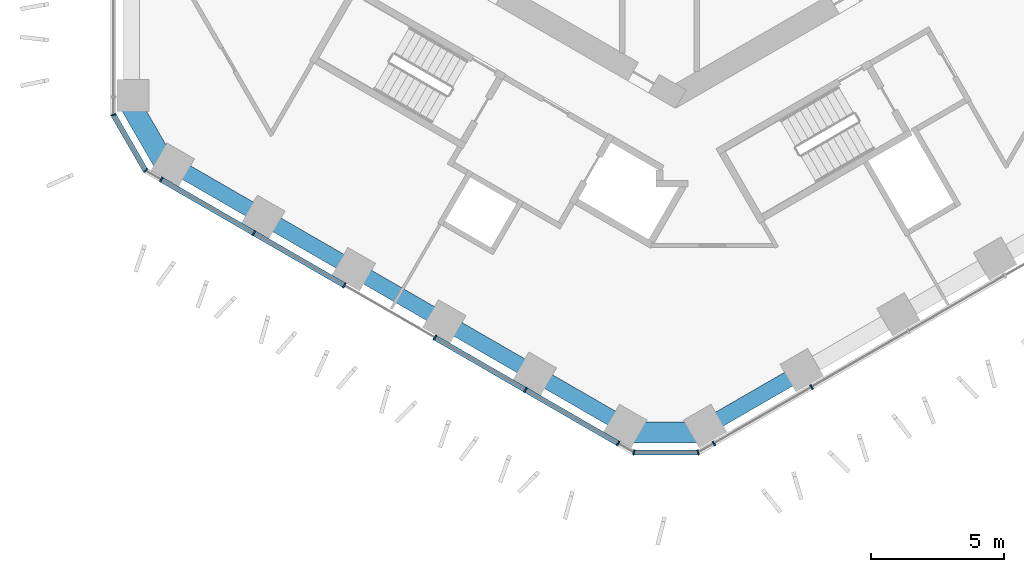
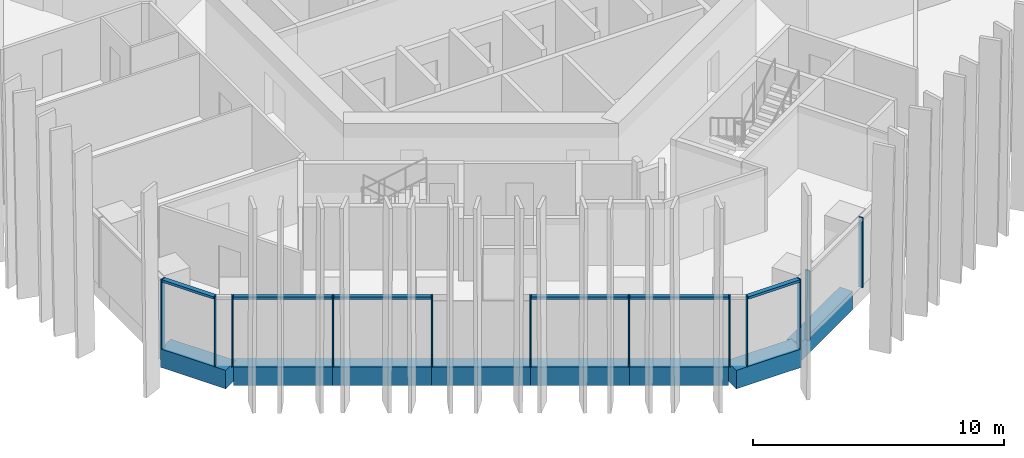
# One storey, part 2 of 19: 16 members, 8 beams, 4 elements without a shape of their own.
"""IFC4 building model written with IfcOpenShell, lengths in metres."""

from ifc_helpers import new_model, si_unit, direction, frame, origin, origin_2d, place, context, subcontext, project, spatial, rectangle, extrude, material, layer, layer_set, material_profile, profile_set, type_object, element, aggregate, save


model = new_model("IFC4")

# Units and contexts
model_context = context("Model", 3, precision=1e-05, world=origin(), true_north=direction((0.0, 1.0)))
body_context = subcontext(model_context, "Body", "Model", "MODEL_VIEW")
ifc_project = project(units=[si_unit("LENGTHUNIT", "METRE"), si_unit("AREAUNIT", "SQUARE_METRE"), si_unit("VOLUMEUNIT", "CUBIC_METRE"), si_unit("PLANEANGLEUNIT", "RADIAN"), si_unit("MASSUNIT", "GRAM", prefix="KILO")], contexts=[model_context])

# Site, building, storey
site_placement = place(None, origin())
site = spatial("IfcSite", under=ifc_project, at=site_placement, CompositionType="ELEMENT")
building_placement = place(site_placement, origin())
building = spatial("IfcBuilding", under=site, at=building_placement, Name="Ayvan Gate Tower", CompositionType="ELEMENT")
storey_placement = place(building_placement, frame((0.0, 0.0, 45.89990234375)))
storey = spatial("IfcBuildingStorey", under=building, at=storey_placement, Name="L11", CompositionType="ELEMENT", Elevation=45.89990234375)

# Beams
ifc_material_1 = material(Name="Concrete C40/50", Category="concrete")
ifc_material_profile_1 = material_profile(ifc_material_1, rectangle(XDim=0.800048828125, YDim=0.89990234375, at=origin_2d()), Name="RC 800x900")
ifc_profile_set_1 = profile_set([ifc_material_profile_1], Name="Concrete C40/50")
beam_type_1 = type_object("IfcBeamType", Name="Corner spandrel beam RC 800x900 C40/50", PredefinedType="BEAM", material=ifc_profile_set_1)
for number, where, z_axis, x_axis, name in (
    (1, (-20.633056640625, -10.575439453125, -0.7998046875), (0.499990139034, -0.866031096941, 0.0), (0.866031096941, 0.499990139034, 0.0), "SB-L11-24"),
    (2, (-1.842041015625, -23.156494140625, -0.7998046875), (1.0, 0.0, 0.0), (0.0, 1.0, 0.0), "SB-L11-30"),
):
    element("IfcBeam", number, at=place(storey_placement, frame(where, z_axis=z_axis, x_axis=x_axis)), inside=storey, type_object=beam_type_1, Name=name, PredefinedType="BEAM", context=body_context, shape_type="SweptSolid", body=[
        extrude(rectangle(XDim=0.800048828125, YDim=0.89990234375, at=origin_2d()), origin(), (0.0, 0.0, 1.0), 3.0),
    ])
ifc_material_profile_2 = material_profile(ifc_material_1, rectangle(XDim=0.60009765625, YDim=0.89990234375, at=origin_2d()), Name="RC 600x900")
ifc_profile_set_2 = profile_set([ifc_material_profile_2], Name="Concrete C40/50")
beam_type_2 = type_object("IfcBeamType", Name="Spandrel beam RC 600x900 C40/50", PredefinedType="BEAM", material=ifc_profile_set_2)
beam_1_placement = place(storey_placement, frame((-18.9423828125, -13.0634765625, -0.7998046875), z_axis=(0.866012622712, -0.500022136814, 0.0), x_axis=(0.500022136814, 0.866012622712, 0.0)))
element("IfcBeam", 3, at=beam_1_placement, inside=storey, type_object=beam_type_2, Name="SB-L11-25", PredefinedType="BEAM", context=body_context, shape_type="SweptSolid", body=[
    extrude(rectangle(XDim=0.60009765625, YDim=0.89990234375, at=origin_2d()), origin(), (0.0, 0.0, 1.0), 3.948974609375),
])
beam_2_placement = place(storey_placement, frame((-15.5224609375, -15.0380859375, -0.7998046875), z_axis=(0.866028078518, -0.499995367196, 0.0), x_axis=(0.499995367196, 0.866028078518, 0.0)))
element("IfcBeam", 4, at=beam_2_placement, inside=storey, type_object=beam_type_2, Name="SB-L11-26", PredefinedType="BEAM", context=body_context, shape_type="SweptSolid", body=[
    extrude(rectangle(XDim=0.60009765625, YDim=0.89990234375, at=origin_2d()), origin(), (0.0, 0.0, 1.0), 3.94921875),
])
beam_3_placement = place(storey_placement, frame((-12.102294921875, -17.0126953125, -0.7998046875), z_axis=(0.866012622712, -0.500022136814, 0.0), x_axis=(0.500022136814, 0.866012622712, 0.0)))
element("IfcBeam", 5, at=beam_3_placement, inside=storey, type_object=beam_type_2, Name="SB-L11-27", PredefinedType="BEAM", context=body_context, shape_type="SweptSolid", body=[
    extrude(rectangle(XDim=0.60009765625, YDim=0.89990234375, at=origin_2d()), origin(), (0.0, 0.0, 1.0), 3.948974609375),
])
for number, where, z_axis, x_axis, name in (
    (6, (-8.682373046875, -18.9873046875, -0.7998046875), (0.866028078518, -0.499995367196, 0.0), (0.499995367196, 0.866028078518, 0.0), "SB-L11-28"),
    (7, (-5.26220703125, -20.9619140625, -0.7998046875), (0.866028078518, -0.499995367196, 0.0), (0.499995367196, 0.866028078518, 0.0), "SB-L11-29"),
):
    element("IfcBeam", number, at=place(storey_placement, frame(where, z_axis=z_axis, x_axis=x_axis)), inside=storey, type_object=beam_type_2, Name=name, PredefinedType="BEAM", context=body_context, shape_type="SweptSolid", body=[
        extrude(rectangle(XDim=0.60009765625, YDim=0.89990234375, at=origin_2d()), origin(), (0.0, 0.0, 1.0), 3.94921875),
    ])
beam_4_placement = place(storey_placement, frame((1.157958984375, -22.9365234375, -0.7998046875), z_axis=(0.866002021773, 0.500040496645, 0.0), x_axis=(-0.500040496645, 0.866002021773, 0.0)))
element("IfcBeam", 8, at=beam_4_placement, inside=storey, type_object=beam_type_2, Name="SB-L11-31", PredefinedType="BEAM", context=body_context, shape_type="SweptSolid", body=[
    extrude(rectangle(XDim=0.60009765625, YDim=0.89990234375, at=origin_2d()), origin(), (0.0, 0.0, 1.0), 4.186279296875),
])

# Curtain wall, members
ifc_material_2 = material(Name="Bronze anodised aluminium", Category="aluminium")
ifc_layer_1 = layer(ifc_material_2, 0.199951171875)
ifc_layer_set_1 = layer_set([ifc_layer_1], Name="Bronze anodised aluminium")
curtain_wall_type_1 = type_object("IfcCurtainWallType", Name="Stick curtain wall CW-1", PredefinedType="NOTDEFINED", material=ifc_layer_set_1)
curtain_wall_1_placement = place(storey_placement, origin())
curtain_wall_1 = element("IfcCurtainWall", 9, at=curtain_wall_1_placement, inside=storey, type_object=curtain_wall_type_1, Name="Stick curtain wall CW-1 L11", PredefinedType="NOTDEFINED")
ifc_material_profile_3 = material_profile(ifc_material_2, rectangle(XDim=0.199951171875, YDim=0.06005859375, at=origin_2d()), Name="Stick curtain wall CW-1 mullion 200 x 60")
ifc_profile_set_3 = profile_set([ifc_material_profile_3], Name="Bronze anodised aluminium")
member_type_1 = type_object("IfcMemberType", Name="Stick curtain wall CW-1 mullion 200 x 60", PredefinedType="MULLION", material=ifc_profile_set_3)
member_1_placement = place(storey_placement, frame((-19.332275390625, -13.646728515625, 0.0), z_axis=(0.0, 0.0, 1.0), x_axis=(-0.5, -0.866025403784, 0.0)))
member_1 = element("IfcMember", 10, at=member_1_placement, type_object=member_type_1, Name="CW-1 mullion 1", PredefinedType="MULLION", context=body_context, shape_type="SweptSolid", body=[
    extrude(rectangle(XDim=0.199951171875, YDim=0.06005859375, at=origin_2d()), origin(), (0.0, 0.0, 1.0), 3.400146484375),
])
member_2_placement = place(storey_placement, frame((-15.8466796875, -15.6591796875, 0.0), z_axis=(0.0, 0.0, 1.0), x_axis=(-0.5, -0.866025403784, 0.0)))
member_2 = element("IfcMember", 11, at=member_2_placement, type_object=member_type_1, Name="CW-1 mullion 2", PredefinedType="MULLION", context=body_context, shape_type="SweptSolid", body=[
    extrude(rectangle(XDim=0.199951171875, YDim=0.06005859375, at=origin_2d()), origin(), (0.0, 0.0, 1.0), 3.400146484375),
])
member_3_placement = place(storey_placement, frame((-12.444091796875, -17.623779296875, 0.0), z_axis=(0.0, 0.0, 1.0), x_axis=(-0.5, -0.866025403784, 0.0)))
member_3 = element("IfcMember", 12, at=member_3_placement, type_object=member_type_1, Name="CW-1 mullion 3", PredefinedType="MULLION", context=body_context, shape_type="SweptSolid", body=[
    extrude(rectangle(XDim=0.199951171875, YDim=0.06005859375, at=origin_2d()), origin(), (0.0, 0.0, 1.0), 3.400146484375),
])
member_4_placement = place(storey_placement, frame((-9.041259765625, -19.588134765625, 0.0), z_axis=(0.0, 0.0, 1.0), x_axis=(-0.5, -0.866025403784, 0.0)))
member_4 = element("IfcMember", 13, at=member_4_placement, type_object=member_type_1, Name="CW-1 mullion 4", PredefinedType="MULLION", context=body_context, shape_type="SweptSolid", body=[
    extrude(rectangle(XDim=0.199951171875, YDim=0.06005859375, at=origin_2d()), origin(), (0.0, 0.0, 1.0), 3.400146484375),
])
member_5_placement = place(storey_placement, frame((-5.638671875, -21.552734375, 0.0), z_axis=(0.0, 0.0, 1.0), x_axis=(-0.5, -0.866025403784, 0.0)))
member_5 = element("IfcMember", 14, at=member_5_placement, type_object=member_type_1, Name="CW-1 mullion 5", PredefinedType="MULLION", context=body_context, shape_type="SweptSolid", body=[
    extrude(rectangle(XDim=0.199951171875, YDim=0.06005859375, at=origin_2d()), origin(), (0.0, 0.0, 1.0), 3.400146484375),
])
member_6_placement = place(storey_placement, frame((-2.15234375, -23.565673828125, 0.0), z_axis=(0.0, 0.0, 1.0), x_axis=(-0.5, -0.866025403784, 0.0)))
member_6 = element("IfcMember", 15, at=member_6_placement, type_object=member_type_1, Name="CW-1 mullion 6", PredefinedType="MULLION", context=body_context, shape_type="SweptSolid", body=[
    extrude(rectangle(XDim=0.199951171875, YDim=0.06005859375, at=origin_2d()), origin(), (0.0, 0.0, 1.0), 3.400146484375),
])

curtain_wall_2_placement = place(storey_placement, origin())
curtain_wall_2 = element("IfcCurtainWall", 16, at=curtain_wall_2_placement, inside=storey, type_object=curtain_wall_type_1, Name="Stick curtain wall CW-1 L11", PredefinedType="NOTDEFINED")
member_7_placement = place(storey_placement, frame((1.440185546875, -23.565673828125, 0.0), z_axis=(0.0, 0.0, 1.0), x_axis=(0.5, -0.866025403784, 0.0)))
member_7 = element("IfcMember", 17, at=member_7_placement, type_object=member_type_1, Name="CW-1 mullion 1", PredefinedType="MULLION", context=body_context, shape_type="SweptSolid", body=[
    extrude(rectangle(XDim=0.199951171875, YDim=0.06005859375, at=origin_2d()), origin(), (0.0, 0.0, 1.0), 3.400146484375),
])
member_8_placement = place(storey_placement, frame((5.11279296875, -21.445068359375, 0.0), z_axis=(0.0, 0.0, 1.0), x_axis=(0.5, -0.866025403784, 0.0)))
member_8 = element("IfcMember", 18, at=member_8_placement, type_object=member_type_1, Name="CW-1 mullion 2", PredefinedType="MULLION", context=body_context, shape_type="SweptSolid", body=[
    extrude(rectangle(XDim=0.199951171875, YDim=0.06005859375, at=origin_2d()), origin(), (0.0, 0.0, 1.0), 3.400146484375),
])
aggregate(curtain_wall_2, [member_7, member_8])

# Member
ifc_material_profile_4 = material_profile(ifc_material_2, rectangle(XDim=0.199951171875, YDim=0.1201171875, at=origin_2d()), Name="Stick curtain wall CW-1 transom 200 x 120")
ifc_profile_set_4 = profile_set([ifc_material_profile_4], Name="Bronze anodised aluminium")
member_type_2 = type_object("IfcMemberType", Name="Stick curtain wall CW-1 transom 200 x 120", PredefinedType="USERDEFINED", material=ifc_profile_set_4)
member_9_placement = place(storey_placement, frame((-19.332275390625, -13.646728515625, 3.340087890625), z_axis=(0.866027556635, -0.499996271135, 0.0), x_axis=(0.499996271135, 0.866027556635, 0.0)))
member_9 = element("IfcMember", 19, at=member_9_placement, type_object=member_type_2, Name="CW-1 transom 1", ObjectType="TRANSOM", PredefinedType="USERDEFINED", context=body_context, shape_type="SweptSolid", body=[
    extrude(rectangle(XDim=0.199951171875, YDim=0.1201171875, at=origin_2d()), origin(), (0.0, 0.0, 1.0), 7.923828125),
])

member_10_placement = place(storey_placement, frame((-9.015380859375, -19.603271484375, 3.340087890625), z_axis=(0.866023981971, -0.500002462644, 0.0), x_axis=(0.500002462644, 0.866023981971, 0.0)))
member_10 = element("IfcMember", 20, at=member_10_placement, type_object=member_type_2, Name="CW-1 transom 2", ObjectType="TRANSOM", PredefinedType="USERDEFINED", context=body_context, shape_type="SweptSolid", body=[
    extrude(rectangle(XDim=0.199951171875, YDim=0.1201171875, at=origin_2d()), origin(), (0.0, 0.0, 1.0), 7.9248046875),
])

aggregate(curtain_wall_1, [member_1, member_2, member_3, member_4, member_5, member_6, member_9, member_10])

# Curtain wall, members
ifc_layer_2 = layer(ifc_material_2, 0.199951171875)
ifc_layer_set_2 = layer_set([ifc_layer_2], Name="Bronze anodised aluminium")
curtain_wall_type_2 = type_object("IfcCurtainWallType", Name="Stick curtain wall CW-6", PredefinedType="NOTDEFINED", material=ifc_layer_set_2)
curtain_wall_3_placement = place(storey_placement, origin())
curtain_wall_3 = element("IfcCurtainWall", 21, at=curtain_wall_3_placement, inside=storey, type_object=curtain_wall_type_2, Name="Stick curtain wall CW-6 L11", PredefinedType="NOTDEFINED")
ifc_material_profile_5 = material_profile(ifc_material_2, rectangle(XDim=0.199951171875, YDim=0.050048828125, at=origin_2d()), Name="Stick curtain wall CW-6 mullion 200 x 50")
ifc_profile_set_5 = profile_set([ifc_material_profile_5], Name="Bronze anodised aluminium")
member_type_3 = type_object("IfcMemberType", Name="Stick curtain wall CW-6 mullion 200 x 50", PredefinedType="MULLION", material=ifc_profile_set_5)
member_11_placement = place(storey_placement, frame((-21.12841796875, -11.215576171875, 0.0), z_axis=(0.0, 0.0, 1.0), x_axis=(-0.965925826289, -0.258819045103, 0.0)))
member_11 = element("IfcMember", 22, at=member_11_placement, type_object=member_type_3, Name="CW-6 mullion 2", PredefinedType="MULLION", context=body_context, shape_type="SweptSolid", body=[
    extrude(rectangle(XDim=0.199951171875, YDim=0.050048828125, at=origin_2d()), origin(), (0.0, 0.0, 1.0), 3.400146484375),
])
member_12_placement = place(storey_placement, frame((-19.921142578125, -13.306640625, 0.0), z_axis=(0.0, 0.0, 1.0), x_axis=(-0.707106781187, -0.707106781187, 0.0)))
member_12 = element("IfcMember", 23, at=member_12_placement, type_object=member_type_3, Name="CW-6 mullion 3", PredefinedType="MULLION", context=body_context, shape_type="SweptSolid", body=[
    extrude(rectangle(XDim=0.199951171875, YDim=0.050048828125, at=origin_2d()), origin(), (0.0, 0.0, 1.0), 3.400146484375),
])

curtain_wall_4_placement = place(storey_placement, origin())
curtain_wall_4 = element("IfcCurtainWall", 24, at=curtain_wall_4_placement, inside=storey, type_object=curtain_wall_type_2, Name="Stick curtain wall CW-6 L11", PredefinedType="NOTDEFINED")
member_13_placement = place(storey_placement, frame((-1.5634765625, -23.90576171875, 0.0), z_axis=(0.0, 0.0, 1.0), x_axis=(-0.258819045103, -0.965925826289, 0.0)))
member_13 = element("IfcMember", 25, at=member_13_placement, type_object=member_type_3, Name="CW-6 mullion 2", PredefinedType="MULLION", context=body_context, shape_type="SweptSolid", body=[
    extrude(rectangle(XDim=0.199951171875, YDim=0.050048828125, at=origin_2d()), origin(), (0.0, 0.0, 1.0), 3.400146484375),
])
member_14_placement = place(storey_placement, frame((0.85107421875, -23.90576171875, 0.0), z_axis=(0.0, 0.0, 1.0), x_axis=(0.258819045103, -0.965925826289, 0.0)))
member_14 = element("IfcMember", 26, at=member_14_placement, type_object=member_type_3, Name="CW-6 mullion 3", PredefinedType="MULLION", context=body_context, shape_type="SweptSolid", body=[
    extrude(rectangle(XDim=0.199951171875, YDim=0.050048828125, at=origin_2d()), origin(), (0.0, 0.0, 1.0), 3.400146484375),
])

# Member
ifc_material_profile_6 = material_profile(ifc_material_2, rectangle(XDim=0.199951171875, YDim=0.1201171875, at=origin_2d()), Name="Stick curtain wall CW-6 transom 200 x 120")
ifc_profile_set_6 = profile_set([ifc_material_profile_6], Name="Bronze anodised aluminium")
member_type_4 = type_object("IfcMemberType", Name="Stick curtain wall CW-6 transom 200 x 120", PredefinedType="USERDEFINED", material=ifc_profile_set_6)
member_15_placement = place(storey_placement, frame((-21.115966796875, -11.2373046875, 3.340087890625), z_axis=(0.499936960004, -0.866061796884, 0.0), x_axis=(0.866061796884, 0.499936960004, 0.0)))
member_15 = element("IfcMember", 27, at=member_15_placement, type_object=member_type_4, Name="CW-6 transom 2", ObjectType="TRANSOM", PredefinedType="USERDEFINED", context=body_context, shape_type="SweptSolid", body=[
    extrude(rectangle(XDim=0.199951171875, YDim=0.1201171875, at=origin_2d()), origin(), (0.0, 0.0, 1.0), 2.364501953125),
])

aggregate(curtain_wall_3, [member_11, member_12, member_15])

member_16_placement = place(storey_placement, frame((-1.538330078125, -23.90576171875, 3.340087890625), z_axis=(1.0, 0.0, 0.0), x_axis=(0.0, 1.0, 0.0)))
member_16 = element("IfcMember", 28, at=member_16_placement, type_object=member_type_4, Name="CW-6 transom 2", ObjectType="TRANSOM", PredefinedType="USERDEFINED", context=body_context, shape_type="SweptSolid", body=[
    extrude(rectangle(XDim=0.199951171875, YDim=0.1201171875, at=origin_2d()), origin(), (0.0, 0.0, 1.0), 2.364501953125),
])

aggregate(curtain_wall_4, [member_13, member_14, member_16])

save(model, "model.ifc")
